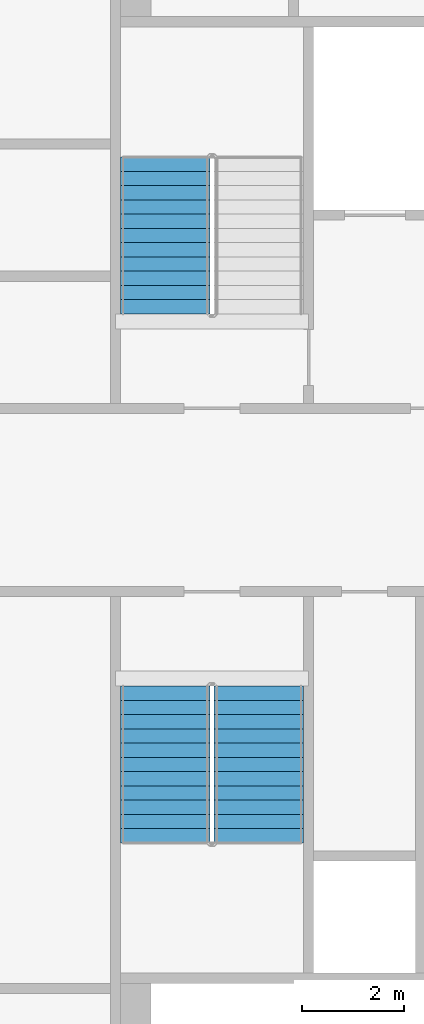
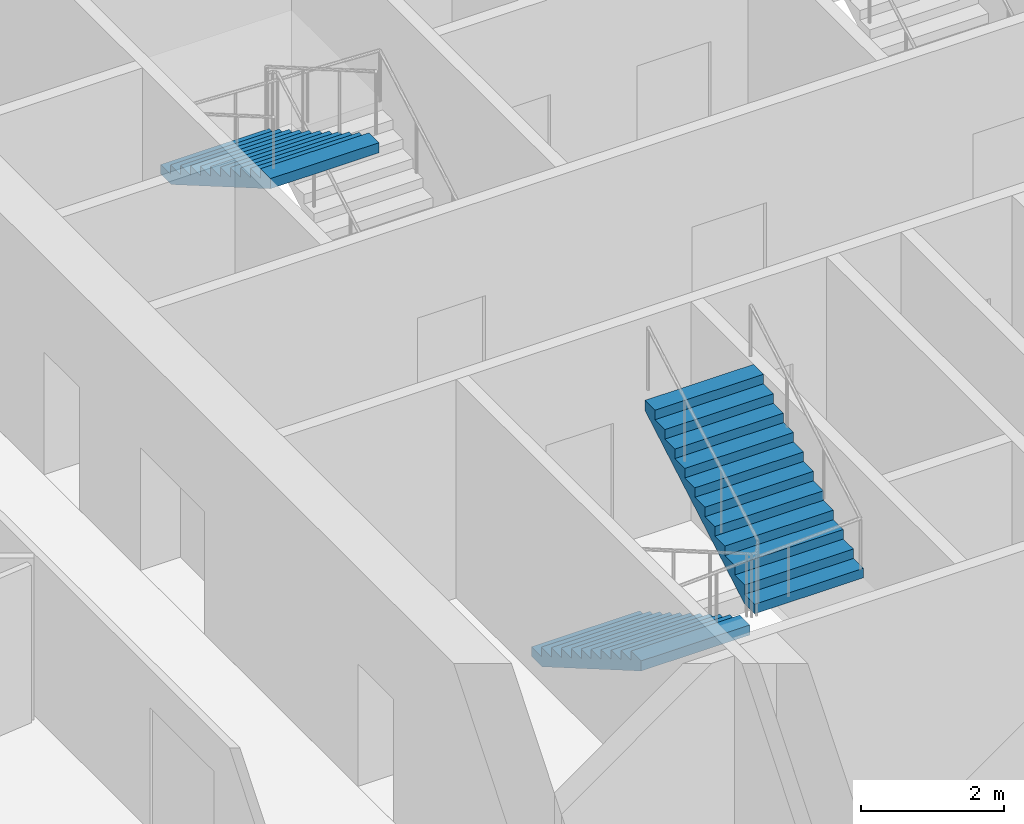
# One storey, part 16 of 23: 3 stair flights, 2 elements without a shape of their own.
"""IFC4 building model written with IfcOpenShell, lengths in metres."""

from ifc_helpers import new_model, si_unit, direction, frame, origin, place, context, subcontext, project, spatial, faceted_brep, material, type_object, element, aggregate, save


model = new_model("IFC4")

# Units and contexts
model_context = context("Model", 3, precision=1e-05, world=origin(), true_north=direction((0.0, 1.0)))
body_context = subcontext(model_context, "Body", "Model", "MODEL_VIEW")
ifc_project = project(units=[si_unit("LENGTHUNIT", "METRE"), si_unit("AREAUNIT", "SQUARE_METRE"), si_unit("VOLUMEUNIT", "CUBIC_METRE"), si_unit("PLANEANGLEUNIT", "RADIAN"), si_unit("MASSUNIT", "GRAM", prefix="KILO")], contexts=[model_context])

# Site, building, storey
site_placement = place(None, origin())
site = spatial("IfcSite", under=ifc_project, at=site_placement, CompositionType="ELEMENT")
building_placement = place(site_placement, origin())
building = spatial("IfcBuilding", under=site, at=building_placement, Name="Tarsis Ring Headquarters", CompositionType="ELEMENT")
storey_placement = place(building_placement, frame((0.0, 0.0, 155.39990234375)))
storey = spatial("IfcBuildingStorey", under=building, at=storey_placement, Name="L35", CompositionType="ELEMENT", Elevation=155.39990234375)

# Stair, stair flight
ifc_material_1 = material(Name="Core stair 1760")
stair_type = type_object("IfcStairType", Name="Core stair 1760", PredefinedType="HALF_TURN_STAIR", material=ifc_material_1)
stair_1_placement = place(storey_placement, origin())
stair_1 = element("IfcStair", 1, at=stair_1_placement, inside=storey, type_object=stair_type, Name="L35 Firefighting stair", PredefinedType="HALF_TURN_STAIR")
ifc_material_2 = material(Name="Concrete C40/50", Category="concrete")
stair_flight_type = type_object("IfcStairFlightType", Name="Core stair flight 1760", PredefinedType="STRAIGHT", material=ifc_material_2)
stair_flight_1_placement = place(storey_placement, frame((-5.419921875, 6.739990234375, 1.9501953125), z_axis=(0.0, 0.0, 1.0), x_axis=(0.0, -1.0, 0.0)))
stair_flight_1 = element("IfcStairFlight", 2, at=stair_flight_1_placement, type_object=stair_flight_type, Name="Stair ST1 flight 2", NumberOfRisers=12, NumberOfTreads=11, PredefinedType="STRAIGHT", RiserHeight=0.1625, TreadLength=0.28, context=body_context, shape_type="Brep", body=[
    faceted_brep([(0.0, 0.8798828125, 0.0), (0.0, 0.8798828125, 0.16259765625), (0.280029296875, 0.8798828125, 0.16259765625), (0.280029296875, 0.8798828125, 0.324951171875), (0.56005859375, 0.8798828125, 0.324951171875), (0.56005859375, 0.8798828125, 0.487548828125), (0.840087890625, 0.8798828125, 0.487548828125), (0.840087890625, 0.8798828125, 0.64990234375), (1.1201171875, 0.8798828125, 0.64990234375), (1.1201171875, 0.8798828125, 0.8125), (1.39990234375, 0.8798828125, 0.8125), (1.39990234375, 0.8798828125, 0.97509765625), (1.679931640625, 0.8798828125, 0.97509765625), (1.679931640625, 0.8798828125, 1.137451171875), (1.9599609375, 0.8798828125, 1.137451171875), (1.9599609375, 0.8798828125, 1.300048828125), (2.239990234375, 0.8798828125, 1.300048828125), (2.239990234375, 0.8798828125, 1.46240234375), (2.52001953125, 0.8798828125, 1.46240234375), (2.52001953125, 0.8798828125, 1.625), (2.800048828125, 0.8798828125, 1.625), (2.800048828125, 0.8798828125, 1.78759765625), (3.080078125, 0.8798828125, 1.78759765625), (3.080078125, 0.8798828125, 1.6142578125), (0.298583984375, 0.8798828125, 0.0), (0.298583984375, -0.8798828125, 0.0), (3.080078125, -0.8798828125, 1.6142578125), (3.080078125, -0.8798828125, 1.78759765625), (2.800048828125, -0.8798828125, 1.78759765625), (2.800048828125, -0.8798828125, 1.625), (2.52001953125, -0.8798828125, 1.625), (2.52001953125, -0.8798828125, 1.46240234375), (2.239990234375, -0.8798828125, 1.46240234375), (2.239990234375, -0.8798828125, 1.300048828125), (1.9599609375, -0.8798828125, 1.300048828125), (1.9599609375, -0.8798828125, 1.137451171875), (1.679931640625, -0.8798828125, 1.137451171875), (1.679931640625, -0.8798828125, 0.97509765625), (1.39990234375, -0.8798828125, 0.97509765625), (1.39990234375, -0.8798828125, 0.8125), (1.1201171875, -0.8798828125, 0.8125), (1.1201171875, -0.8798828125, 0.64990234375), (0.840087890625, -0.8798828125, 0.64990234375), (0.840087890625, -0.8798828125, 0.487548828125), (0.56005859375, -0.8798828125, 0.487548828125), (0.56005859375, -0.8798828125, 0.324951171875), (0.280029296875, -0.8798828125, 0.324951171875), (0.280029296875, -0.8798828125, 0.16259765625), (0.0, -0.8798828125, 0.16259765625), (0.0, -0.8798828125, 0.0), (0.0, -0.43994140625, 0.16259765625), (0.0, -0.43994140625, 0.0), (0.0, 0.0, 0.16259765625), (0.0, 0.0, 0.0), (0.0, 0.43994140625, 0.16259765625), (0.0, 0.43994140625, 0.0), (0.280029296875, -0.43994140625, 0.16259765625), (0.280029296875, 0.0, 0.16259765625), (0.280029296875, 0.43994140625, 0.16259765625), (0.280029296875, -0.43994140625, 0.324951171875), (0.280029296875, 0.0, 0.324951171875), (0.280029296875, 0.43994140625, 0.324951171875), (0.56005859375, -0.43994140625, 0.324951171875), (0.56005859375, 0.0, 0.324951171875), (0.56005859375, 0.43994140625, 0.324951171875), (0.56005859375, -0.43994140625, 0.487548828125), (0.56005859375, 0.0, 0.487548828125), (0.56005859375, 0.43994140625, 0.487548828125), (0.840087890625, -0.43994140625, 0.487548828125), (0.840087890625, 0.0, 0.487548828125), (0.840087890625, 0.43994140625, 0.487548828125), (0.840087890625, -0.43994140625, 0.64990234375), (0.840087890625, 0.0, 0.64990234375), (0.840087890625, 0.43994140625, 0.64990234375), (1.1201171875, -0.43994140625, 0.64990234375), (1.1201171875, 0.0, 0.64990234375), (1.1201171875, 0.43994140625, 0.64990234375), (1.1201171875, -0.43994140625, 0.8125), (1.1201171875, 0.0, 0.8125), (1.1201171875, 0.43994140625, 0.8125), (1.39990234375, -0.43994140625, 0.8125), (1.39990234375, 0.0, 0.8125), (1.39990234375, 0.43994140625, 0.8125), (1.39990234375, -0.43994140625, 0.97509765625), (1.39990234375, 0.0, 0.97509765625), (1.39990234375, 0.43994140625, 0.97509765625), (1.679931640625, -0.43994140625, 0.97509765625), (1.679931640625, 0.0, 0.97509765625), (1.679931640625, 0.43994140625, 0.97509765625), (1.679931640625, -0.43994140625, 1.137451171875), (1.679931640625, 0.0, 1.137451171875), (1.679931640625, 0.43994140625, 1.137451171875), (1.9599609375, -0.43994140625, 1.137451171875), (1.9599609375, 0.0, 1.137451171875), (1.9599609375, 0.43994140625, 1.137451171875), (1.9599609375, -0.43994140625, 1.300048828125), (1.9599609375, 0.0, 1.300048828125), (1.9599609375, 0.43994140625, 1.300048828125), (2.239990234375, -0.43994140625, 1.300048828125), (2.239990234375, 0.0, 1.300048828125), (2.239990234375, 0.43994140625, 1.300048828125), (2.239990234375, -0.43994140625, 1.46240234375), (2.239990234375, 0.0, 1.46240234375), (2.239990234375, 0.43994140625, 1.46240234375), (2.52001953125, -0.43994140625, 1.46240234375), (2.52001953125, 0.0, 1.46240234375), (2.52001953125, 0.43994140625, 1.46240234375), (2.52001953125, -0.43994140625, 1.625), (2.52001953125, 0.0, 1.625), (2.52001953125, 0.43994140625, 1.625), (2.800048828125, -0.43994140625, 1.625), (2.800048828125, 0.0, 1.625), (2.800048828125, 0.43994140625, 1.625), (2.800048828125, -0.43994140625, 1.78759765625), (2.800048828125, 0.0, 1.78759765625), (2.800048828125, 0.43994140625, 1.78759765625), (3.080078125, -0.43994140625, 1.78759765625), (3.080078125, 0.0, 1.78759765625), (3.080078125, 0.43994140625, 1.78759765625), (3.080078125, -0.43994140625, 1.6142578125), (3.080078125, 0.0, 1.6142578125), (3.080078125, 0.43994140625, 1.6142578125), (0.298583984375, -0.43994140625, 0.0), (0.298583984375, 0.0, 0.0), (0.298583984375, 0.43994140625, 0.0)], [[[0, 1, 2, 3, 4, 5, 6, 7, 8, 9, 10, 11, 12, 13, 14, 15, 16, 17, 18, 19, 20, 21, 22, 23, 24]], [[25, 26, 27, 28, 29, 30, 31, 32, 33, 34, 35, 36, 37, 38, 39, 40, 41, 42, 43, 44, 45, 46, 47, 48, 49]], [[49, 48, 50, 51]], [[51, 50, 52, 53]], [[53, 52, 54, 55]], [[55, 54, 1, 0]], [[48, 47, 56, 50]], [[50, 56, 57, 52]], [[52, 57, 58, 54]], [[54, 58, 2, 1]], [[47, 46, 59, 56]], [[56, 59, 60, 57]], [[57, 60, 61, 58]], [[58, 61, 3, 2]], [[46, 45, 62, 59]], [[59, 62, 63, 60]], [[60, 63, 64, 61]], [[61, 64, 4, 3]], [[45, 44, 65, 62]], [[62, 65, 66, 63]], [[63, 66, 67, 64]], [[64, 67, 5, 4]], [[44, 43, 68, 65]], [[65, 68, 69, 66]], [[66, 69, 70, 67]], [[67, 70, 6, 5]], [[43, 42, 71, 68]], [[68, 71, 72, 69]], [[69, 72, 73, 70]], [[70, 73, 7, 6]], [[42, 41, 74, 71]], [[71, 74, 75, 72]], [[72, 75, 76, 73]], [[73, 76, 8, 7]], [[41, 40, 77, 74]], [[74, 77, 78, 75]], [[75, 78, 79, 76]], [[76, 79, 9, 8]], [[40, 39, 80, 77]], [[77, 80, 81, 78]], [[78, 81, 82, 79]], [[79, 82, 10, 9]], [[39, 38, 83, 80]], [[80, 83, 84, 81]], [[81, 84, 85, 82]], [[82, 85, 11, 10]], [[38, 37, 86, 83]], [[83, 86, 87, 84]], [[84, 87, 88, 85]], [[85, 88, 12, 11]], [[37, 36, 89, 86]], [[86, 89, 90, 87]], [[87, 90, 91, 88]], [[88, 91, 13, 12]], [[36, 35, 92, 89]], [[89, 92, 93, 90]], [[90, 93, 94, 91]], [[91, 94, 14, 13]], [[35, 34, 95, 92]], [[92, 95, 96, 93]], [[93, 96, 97, 94]], [[94, 97, 15, 14]], [[34, 33, 98, 95]], [[95, 98, 99, 96]], [[96, 99, 100, 97]], [[97, 100, 16, 15]], [[33, 32, 101, 98]], [[98, 101, 102, 99]], [[99, 102, 103, 100]], [[100, 103, 17, 16]], [[32, 31, 104, 101]], [[101, 104, 105, 102]], [[102, 105, 106, 103]], [[103, 106, 18, 17]], [[31, 30, 107, 104]], [[104, 107, 108, 105]], [[105, 108, 109, 106]], [[106, 109, 19, 18]], [[30, 29, 110, 107]], [[107, 110, 111, 108]], [[108, 111, 112, 109]], [[109, 112, 20, 19]], [[29, 28, 113, 110]], [[110, 113, 114, 111]], [[111, 114, 115, 112]], [[112, 115, 21, 20]], [[28, 27, 116, 113]], [[113, 116, 117, 114]], [[114, 117, 118, 115]], [[115, 118, 22, 21]], [[27, 26, 119, 116]], [[116, 119, 120, 117]], [[117, 120, 121, 118]], [[118, 121, 23, 22]], [[26, 25, 122, 119]], [[119, 122, 123, 120]], [[120, 123, 124, 121]], [[121, 124, 24, 23]], [[25, 49, 51, 122]], [[122, 51, 53, 123]], [[123, 53, 55, 124]], [[124, 55, 0, 24]]]),
])
aggregate(stair_1, [stair_flight_1])

# Stair, stair flights
stair_2_placement = place(storey_placement, origin())
stair_2 = element("IfcStair", 3, at=stair_2_placement, inside=storey, type_object=stair_type, Name="L35 Exit stair C", PredefinedType="HALF_TURN_STAIR")
stair_flight_2_placement = place(storey_placement, frame((-5.419921875, -3.659912109375, 0.0), z_axis=(0.0, 0.0, 1.0), x_axis=(0.0, -1.0, 0.0)))
stair_flight_2 = element("IfcStairFlight", 4, at=stair_flight_2_placement, type_object=stair_flight_type, Name="Stair ST3 flight 1", NumberOfRisers=12, NumberOfTreads=11, PredefinedType="STRAIGHT", RiserHeight=0.1625, TreadLength=0.28, context=body_context, shape_type="Brep", body=[
    faceted_brep([(0.0, 0.8798828125, 0.0), (0.0, 0.8798828125, 0.16259765625), (0.280029296875, 0.8798828125, 0.16259765625), (0.280029296875, 0.8798828125, 0.324951171875), (0.56005859375, 0.8798828125, 0.324951171875), (0.56005859375, 0.8798828125, 0.487548828125), (0.840087890625, 0.8798828125, 0.487548828125), (0.840087890625, 0.8798828125, 0.64990234375), (1.1201171875, 0.8798828125, 0.64990234375), (1.1201171875, 0.8798828125, 0.8125), (1.39990234375, 0.8798828125, 0.8125), (1.39990234375, 0.8798828125, 0.97509765625), (1.679931640625, 0.8798828125, 0.97509765625), (1.679931640625, 0.8798828125, 1.137451171875), (1.9599609375, 0.8798828125, 1.137451171875), (1.9599609375, 0.8798828125, 1.300048828125), (2.239990234375, 0.8798828125, 1.300048828125), (2.239990234375, 0.8798828125, 1.46240234375), (2.52001953125, 0.8798828125, 1.46240234375), (2.52001953125, 0.8798828125, 1.625), (2.800048828125, 0.8798828125, 1.625), (2.800048828125, 0.8798828125, 1.78759765625), (3.080078125, 0.8798828125, 1.78759765625), (3.080078125, 0.8798828125, 1.6142578125), (0.298583984375, 0.8798828125, 0.0), (0.298583984375, -0.8798828125, 0.0), (3.080078125, -0.8798828125, 1.6142578125), (3.080078125, -0.8798828125, 1.78759765625), (2.800048828125, -0.8798828125, 1.78759765625), (2.800048828125, -0.8798828125, 1.625), (2.52001953125, -0.8798828125, 1.625), (2.52001953125, -0.8798828125, 1.46240234375), (2.239990234375, -0.8798828125, 1.46240234375), (2.239990234375, -0.8798828125, 1.300048828125), (1.9599609375, -0.8798828125, 1.300048828125), (1.9599609375, -0.8798828125, 1.137451171875), (1.679931640625, -0.8798828125, 1.137451171875), (1.679931640625, -0.8798828125, 0.97509765625), (1.39990234375, -0.8798828125, 0.97509765625), (1.39990234375, -0.8798828125, 0.8125), (1.1201171875, -0.8798828125, 0.8125), (1.1201171875, -0.8798828125, 0.64990234375), (0.840087890625, -0.8798828125, 0.64990234375), (0.840087890625, -0.8798828125, 0.487548828125), (0.56005859375, -0.8798828125, 0.487548828125), (0.56005859375, -0.8798828125, 0.324951171875), (0.280029296875, -0.8798828125, 0.324951171875), (0.280029296875, -0.8798828125, 0.16259765625), (0.0, -0.8798828125, 0.16259765625), (0.0, -0.8798828125, 0.0), (0.0, -0.43994140625, 0.16259765625), (0.0, -0.43994140625, 0.0), (0.0, 0.0, 0.16259765625), (0.0, 0.0, 0.0), (0.0, 0.43994140625, 0.16259765625), (0.0, 0.43994140625, 0.0), (0.280029296875, -0.43994140625, 0.16259765625), (0.280029296875, 0.0, 0.16259765625), (0.280029296875, 0.43994140625, 0.16259765625), (0.280029296875, -0.43994140625, 0.324951171875), (0.280029296875, 0.0, 0.324951171875), (0.280029296875, 0.43994140625, 0.324951171875), (0.56005859375, -0.43994140625, 0.324951171875), (0.56005859375, 0.0, 0.324951171875), (0.56005859375, 0.43994140625, 0.324951171875), (0.56005859375, -0.43994140625, 0.487548828125), (0.56005859375, 0.0, 0.487548828125), (0.56005859375, 0.43994140625, 0.487548828125), (0.840087890625, -0.43994140625, 0.487548828125), (0.840087890625, 0.0, 0.487548828125), (0.840087890625, 0.43994140625, 0.487548828125), (0.840087890625, -0.43994140625, 0.64990234375), (0.840087890625, 0.0, 0.64990234375), (0.840087890625, 0.43994140625, 0.64990234375), (1.1201171875, -0.43994140625, 0.64990234375), (1.1201171875, 0.0, 0.64990234375), (1.1201171875, 0.43994140625, 0.64990234375), (1.1201171875, -0.43994140625, 0.8125), (1.1201171875, 0.0, 0.8125), (1.1201171875, 0.43994140625, 0.8125), (1.39990234375, -0.43994140625, 0.8125), (1.39990234375, 0.0, 0.8125), (1.39990234375, 0.43994140625, 0.8125), (1.39990234375, -0.43994140625, 0.97509765625), (1.39990234375, 0.0, 0.97509765625), (1.39990234375, 0.43994140625, 0.97509765625), (1.679931640625, -0.43994140625, 0.97509765625), (1.679931640625, 0.0, 0.97509765625), (1.679931640625, 0.43994140625, 0.97509765625), (1.679931640625, -0.43994140625, 1.137451171875), (1.679931640625, 0.0, 1.137451171875), (1.679931640625, 0.43994140625, 1.137451171875), (1.9599609375, -0.43994140625, 1.137451171875), (1.9599609375, 0.0, 1.137451171875), (1.9599609375, 0.43994140625, 1.137451171875), (1.9599609375, -0.43994140625, 1.300048828125), (1.9599609375, 0.0, 1.300048828125), (1.9599609375, 0.43994140625, 1.300048828125), (2.239990234375, -0.43994140625, 1.300048828125), (2.239990234375, 0.0, 1.300048828125), (2.239990234375, 0.43994140625, 1.300048828125), (2.239990234375, -0.43994140625, 1.46240234375), (2.239990234375, 0.0, 1.46240234375), (2.239990234375, 0.43994140625, 1.46240234375), (2.52001953125, -0.43994140625, 1.46240234375), (2.52001953125, 0.0, 1.46240234375), (2.52001953125, 0.43994140625, 1.46240234375), (2.52001953125, -0.43994140625, 1.625), (2.52001953125, 0.0, 1.625), (2.52001953125, 0.43994140625, 1.625), (2.800048828125, -0.43994140625, 1.625), (2.800048828125, 0.0, 1.625), (2.800048828125, 0.43994140625, 1.625), (2.800048828125, -0.43994140625, 1.78759765625), (2.800048828125, 0.0, 1.78759765625), (2.800048828125, 0.43994140625, 1.78759765625), (3.080078125, -0.43994140625, 1.78759765625), (3.080078125, 0.0, 1.78759765625), (3.080078125, 0.43994140625, 1.78759765625), (3.080078125, -0.43994140625, 1.6142578125), (3.080078125, 0.0, 1.6142578125), (3.080078125, 0.43994140625, 1.6142578125), (0.298583984375, -0.43994140625, 0.0), (0.298583984375, 0.0, 0.0), (0.298583984375, 0.43994140625, 0.0)], [[[0, 1, 2, 3, 4, 5, 6, 7, 8, 9, 10, 11, 12, 13, 14, 15, 16, 17, 18, 19, 20, 21, 22, 23, 24]], [[25, 26, 27, 28, 29, 30, 31, 32, 33, 34, 35, 36, 37, 38, 39, 40, 41, 42, 43, 44, 45, 46, 47, 48, 49]], [[49, 48, 50, 51]], [[51, 50, 52, 53]], [[53, 52, 54, 55]], [[55, 54, 1, 0]], [[48, 47, 56, 50]], [[50, 56, 57, 52]], [[52, 57, 58, 54]], [[54, 58, 2, 1]], [[47, 46, 59, 56]], [[56, 59, 60, 57]], [[57, 60, 61, 58]], [[58, 61, 3, 2]], [[46, 45, 62, 59]], [[59, 62, 63, 60]], [[60, 63, 64, 61]], [[61, 64, 4, 3]], [[45, 44, 65, 62]], [[62, 65, 66, 63]], [[63, 66, 67, 64]], [[64, 67, 5, 4]], [[44, 43, 68, 65]], [[65, 68, 69, 66]], [[66, 69, 70, 67]], [[67, 70, 6, 5]], [[43, 42, 71, 68]], [[68, 71, 72, 69]], [[69, 72, 73, 70]], [[70, 73, 7, 6]], [[42, 41, 74, 71]], [[71, 74, 75, 72]], [[72, 75, 76, 73]], [[73, 76, 8, 7]], [[41, 40, 77, 74]], [[74, 77, 78, 75]], [[75, 78, 79, 76]], [[76, 79, 9, 8]], [[40, 39, 80, 77]], [[77, 80, 81, 78]], [[78, 81, 82, 79]], [[79, 82, 10, 9]], [[39, 38, 83, 80]], [[80, 83, 84, 81]], [[81, 84, 85, 82]], [[82, 85, 11, 10]], [[38, 37, 86, 83]], [[83, 86, 87, 84]], [[84, 87, 88, 85]], [[85, 88, 12, 11]], [[37, 36, 89, 86]], [[86, 89, 90, 87]], [[87, 90, 91, 88]], [[88, 91, 13, 12]], [[36, 35, 92, 89]], [[89, 92, 93, 90]], [[90, 93, 94, 91]], [[91, 94, 14, 13]], [[35, 34, 95, 92]], [[92, 95, 96, 93]], [[93, 96, 97, 94]], [[94, 97, 15, 14]], [[34, 33, 98, 95]], [[95, 98, 99, 96]], [[96, 99, 100, 97]], [[97, 100, 16, 15]], [[33, 32, 101, 98]], [[98, 101, 102, 99]], [[99, 102, 103, 100]], [[100, 103, 17, 16]], [[32, 31, 104, 101]], [[101, 104, 105, 102]], [[102, 105, 106, 103]], [[103, 106, 18, 17]], [[31, 30, 107, 104]], [[104, 107, 108, 105]], [[105, 108, 109, 106]], [[106, 109, 19, 18]], [[30, 29, 110, 107]], [[107, 110, 111, 108]], [[108, 111, 112, 109]], [[109, 112, 20, 19]], [[29, 28, 113, 110]], [[110, 113, 114, 111]], [[111, 114, 115, 112]], [[112, 115, 21, 20]], [[28, 27, 116, 113]], [[113, 116, 117, 114]], [[114, 117, 118, 115]], [[115, 118, 22, 21]], [[27, 26, 119, 116]], [[116, 119, 120, 117]], [[117, 120, 121, 118]], [[118, 121, 23, 22]], [[26, 25, 122, 119]], [[119, 122, 123, 120]], [[120, 123, 124, 121]], [[121, 124, 24, 23]], [[25, 49, 51, 122]], [[122, 51, 53, 123]], [[123, 53, 55, 124]], [[124, 55, 0, 24]]]),
])
stair_flight_3_placement = place(storey_placement, frame((-3.580078125, -6.739990234375, 1.9501953125), z_axis=(0.0, 0.0, 1.0), x_axis=(0.0, 1.0, 0.0)))
stair_flight_3 = element("IfcStairFlight", 5, at=stair_flight_3_placement, type_object=stair_flight_type, Name="Stair ST3 flight 2", NumberOfRisers=12, NumberOfTreads=11, PredefinedType="STRAIGHT", RiserHeight=0.1625, TreadLength=0.28, context=body_context, shape_type="Brep", body=[
    faceted_brep([(0.0, 0.8798828125, 0.0), (0.0, 0.8798828125, 0.16259765625), (0.280029296875, 0.8798828125, 0.16259765625), (0.280029296875, 0.8798828125, 0.324951171875), (0.56005859375, 0.8798828125, 0.324951171875), (0.56005859375, 0.8798828125, 0.487548828125), (0.840087890625, 0.8798828125, 0.487548828125), (0.840087890625, 0.8798828125, 0.64990234375), (1.1201171875, 0.8798828125, 0.64990234375), (1.1201171875, 0.8798828125, 0.8125), (1.39990234375, 0.8798828125, 0.8125), (1.39990234375, 0.8798828125, 0.97509765625), (1.679931640625, 0.8798828125, 0.97509765625), (1.679931640625, 0.8798828125, 1.137451171875), (1.9599609375, 0.8798828125, 1.137451171875), (1.9599609375, 0.8798828125, 1.300048828125), (2.239990234375, 0.8798828125, 1.300048828125), (2.239990234375, 0.8798828125, 1.46240234375), (2.52001953125, 0.8798828125, 1.46240234375), (2.52001953125, 0.8798828125, 1.625), (2.800048828125, 0.8798828125, 1.625), (2.800048828125, 0.8798828125, 1.78759765625), (3.080078125, 0.8798828125, 1.78759765625), (3.080078125, 0.8798828125, 1.6142578125), (0.298583984375, 0.8798828125, 0.0), (0.298583984375, -0.8798828125, 0.0), (3.080078125, -0.8798828125, 1.6142578125), (3.080078125, -0.8798828125, 1.78759765625), (2.800048828125, -0.8798828125, 1.78759765625), (2.800048828125, -0.8798828125, 1.625), (2.52001953125, -0.8798828125, 1.625), (2.52001953125, -0.8798828125, 1.46240234375), (2.239990234375, -0.8798828125, 1.46240234375), (2.239990234375, -0.8798828125, 1.300048828125), (1.9599609375, -0.8798828125, 1.300048828125), (1.9599609375, -0.8798828125, 1.137451171875), (1.679931640625, -0.8798828125, 1.137451171875), (1.679931640625, -0.8798828125, 0.97509765625), (1.39990234375, -0.8798828125, 0.97509765625), (1.39990234375, -0.8798828125, 0.8125), (1.1201171875, -0.8798828125, 0.8125), (1.1201171875, -0.8798828125, 0.64990234375), (0.840087890625, -0.8798828125, 0.64990234375), (0.840087890625, -0.8798828125, 0.487548828125), (0.56005859375, -0.8798828125, 0.487548828125), (0.56005859375, -0.8798828125, 0.324951171875), (0.280029296875, -0.8798828125, 0.324951171875), (0.280029296875, -0.8798828125, 0.16259765625), (0.0, -0.8798828125, 0.16259765625), (0.0, -0.8798828125, 0.0), (0.0, -0.43994140625, 0.16259765625), (0.0, -0.43994140625, 0.0), (0.0, 0.0, 0.16259765625), (0.0, 0.0, 0.0), (0.0, 0.43994140625, 0.16259765625), (0.0, 0.43994140625, 0.0), (0.280029296875, -0.43994140625, 0.16259765625), (0.280029296875, 0.0, 0.16259765625), (0.280029296875, 0.43994140625, 0.16259765625), (0.280029296875, -0.43994140625, 0.324951171875), (0.280029296875, 0.0, 0.324951171875), (0.280029296875, 0.43994140625, 0.324951171875), (0.56005859375, -0.43994140625, 0.324951171875), (0.56005859375, 0.0, 0.324951171875), (0.56005859375, 0.43994140625, 0.324951171875), (0.56005859375, -0.43994140625, 0.487548828125), (0.56005859375, 0.0, 0.487548828125), (0.56005859375, 0.43994140625, 0.487548828125), (0.840087890625, -0.43994140625, 0.487548828125), (0.840087890625, 0.0, 0.487548828125), (0.840087890625, 0.43994140625, 0.487548828125), (0.840087890625, -0.43994140625, 0.64990234375), (0.840087890625, 0.0, 0.64990234375), (0.840087890625, 0.43994140625, 0.64990234375), (1.1201171875, -0.43994140625, 0.64990234375), (1.1201171875, 0.0, 0.64990234375), (1.1201171875, 0.43994140625, 0.64990234375), (1.1201171875, -0.43994140625, 0.8125), (1.1201171875, 0.0, 0.8125), (1.1201171875, 0.43994140625, 0.8125), (1.39990234375, -0.43994140625, 0.8125), (1.39990234375, 0.0, 0.8125), (1.39990234375, 0.43994140625, 0.8125), (1.39990234375, -0.43994140625, 0.97509765625), (1.39990234375, 0.0, 0.97509765625), (1.39990234375, 0.43994140625, 0.97509765625), (1.679931640625, -0.43994140625, 0.97509765625), (1.679931640625, 0.0, 0.97509765625), (1.679931640625, 0.43994140625, 0.97509765625), (1.679931640625, -0.43994140625, 1.137451171875), (1.679931640625, 0.0, 1.137451171875), (1.679931640625, 0.43994140625, 1.137451171875), (1.9599609375, -0.43994140625, 1.137451171875), (1.9599609375, 0.0, 1.137451171875), (1.9599609375, 0.43994140625, 1.137451171875), (1.9599609375, -0.43994140625, 1.300048828125), (1.9599609375, 0.0, 1.300048828125), (1.9599609375, 0.43994140625, 1.300048828125), (2.239990234375, -0.43994140625, 1.300048828125), (2.239990234375, 0.0, 1.300048828125), (2.239990234375, 0.43994140625, 1.300048828125), (2.239990234375, -0.43994140625, 1.46240234375), (2.239990234375, 0.0, 1.46240234375), (2.239990234375, 0.43994140625, 1.46240234375), (2.52001953125, -0.43994140625, 1.46240234375), (2.52001953125, 0.0, 1.46240234375), (2.52001953125, 0.43994140625, 1.46240234375), (2.52001953125, -0.43994140625, 1.625), (2.52001953125, 0.0, 1.625), (2.52001953125, 0.43994140625, 1.625), (2.800048828125, -0.43994140625, 1.625), (2.800048828125, 0.0, 1.625), (2.800048828125, 0.43994140625, 1.625), (2.800048828125, -0.43994140625, 1.78759765625), (2.800048828125, 0.0, 1.78759765625), (2.800048828125, 0.43994140625, 1.78759765625), (3.080078125, -0.43994140625, 1.78759765625), (3.080078125, 0.0, 1.78759765625), (3.080078125, 0.43994140625, 1.78759765625), (3.080078125, -0.43994140625, 1.6142578125), (3.080078125, 0.0, 1.6142578125), (3.080078125, 0.43994140625, 1.6142578125), (0.298583984375, -0.43994140625, 0.0), (0.298583984375, 0.0, 0.0), (0.298583984375, 0.43994140625, 0.0)], [[[0, 1, 2, 3, 4, 5, 6, 7, 8, 9, 10, 11, 12, 13, 14, 15, 16, 17, 18, 19, 20, 21, 22, 23, 24]], [[25, 26, 27, 28, 29, 30, 31, 32, 33, 34, 35, 36, 37, 38, 39, 40, 41, 42, 43, 44, 45, 46, 47, 48, 49]], [[49, 48, 50, 51]], [[51, 50, 52, 53]], [[53, 52, 54, 55]], [[55, 54, 1, 0]], [[48, 47, 56, 50]], [[50, 56, 57, 52]], [[52, 57, 58, 54]], [[54, 58, 2, 1]], [[47, 46, 59, 56]], [[56, 59, 60, 57]], [[57, 60, 61, 58]], [[58, 61, 3, 2]], [[46, 45, 62, 59]], [[59, 62, 63, 60]], [[60, 63, 64, 61]], [[61, 64, 4, 3]], [[45, 44, 65, 62]], [[62, 65, 66, 63]], [[63, 66, 67, 64]], [[64, 67, 5, 4]], [[44, 43, 68, 65]], [[65, 68, 69, 66]], [[66, 69, 70, 67]], [[67, 70, 6, 5]], [[43, 42, 71, 68]], [[68, 71, 72, 69]], [[69, 72, 73, 70]], [[70, 73, 7, 6]], [[42, 41, 74, 71]], [[71, 74, 75, 72]], [[72, 75, 76, 73]], [[73, 76, 8, 7]], [[41, 40, 77, 74]], [[74, 77, 78, 75]], [[75, 78, 79, 76]], [[76, 79, 9, 8]], [[40, 39, 80, 77]], [[77, 80, 81, 78]], [[78, 81, 82, 79]], [[79, 82, 10, 9]], [[39, 38, 83, 80]], [[80, 83, 84, 81]], [[81, 84, 85, 82]], [[82, 85, 11, 10]], [[38, 37, 86, 83]], [[83, 86, 87, 84]], [[84, 87, 88, 85]], [[85, 88, 12, 11]], [[37, 36, 89, 86]], [[86, 89, 90, 87]], [[87, 90, 91, 88]], [[88, 91, 13, 12]], [[36, 35, 92, 89]], [[89, 92, 93, 90]], [[90, 93, 94, 91]], [[91, 94, 14, 13]], [[35, 34, 95, 92]], [[92, 95, 96, 93]], [[93, 96, 97, 94]], [[94, 97, 15, 14]], [[34, 33, 98, 95]], [[95, 98, 99, 96]], [[96, 99, 100, 97]], [[97, 100, 16, 15]], [[33, 32, 101, 98]], [[98, 101, 102, 99]], [[99, 102, 103, 100]], [[100, 103, 17, 16]], [[32, 31, 104, 101]], [[101, 104, 105, 102]], [[102, 105, 106, 103]], [[103, 106, 18, 17]], [[31, 30, 107, 104]], [[104, 107, 108, 105]], [[105, 108, 109, 106]], [[106, 109, 19, 18]], [[30, 29, 110, 107]], [[107, 110, 111, 108]], [[108, 111, 112, 109]], [[109, 112, 20, 19]], [[29, 28, 113, 110]], [[110, 113, 114, 111]], [[111, 114, 115, 112]], [[112, 115, 21, 20]], [[28, 27, 116, 113]], [[113, 116, 117, 114]], [[114, 117, 118, 115]], [[115, 118, 22, 21]], [[27, 26, 119, 116]], [[116, 119, 120, 117]], [[117, 120, 121, 118]], [[118, 121, 23, 22]], [[26, 25, 122, 119]], [[119, 122, 123, 120]], [[120, 123, 124, 121]], [[121, 124, 24, 23]], [[25, 49, 51, 122]], [[122, 51, 53, 123]], [[123, 53, 55, 124]], [[124, 55, 0, 24]]]),
])
aggregate(stair_2, [stair_flight_2, stair_flight_3])

save(model, "model.ifc")
